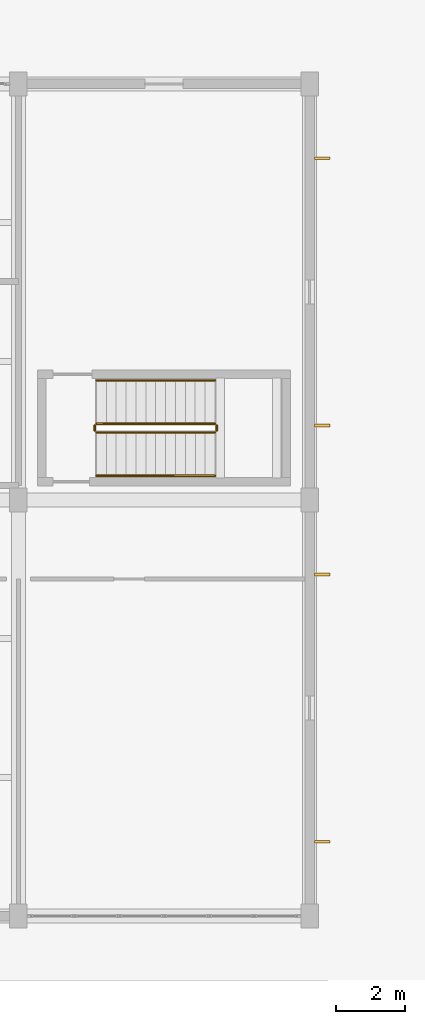
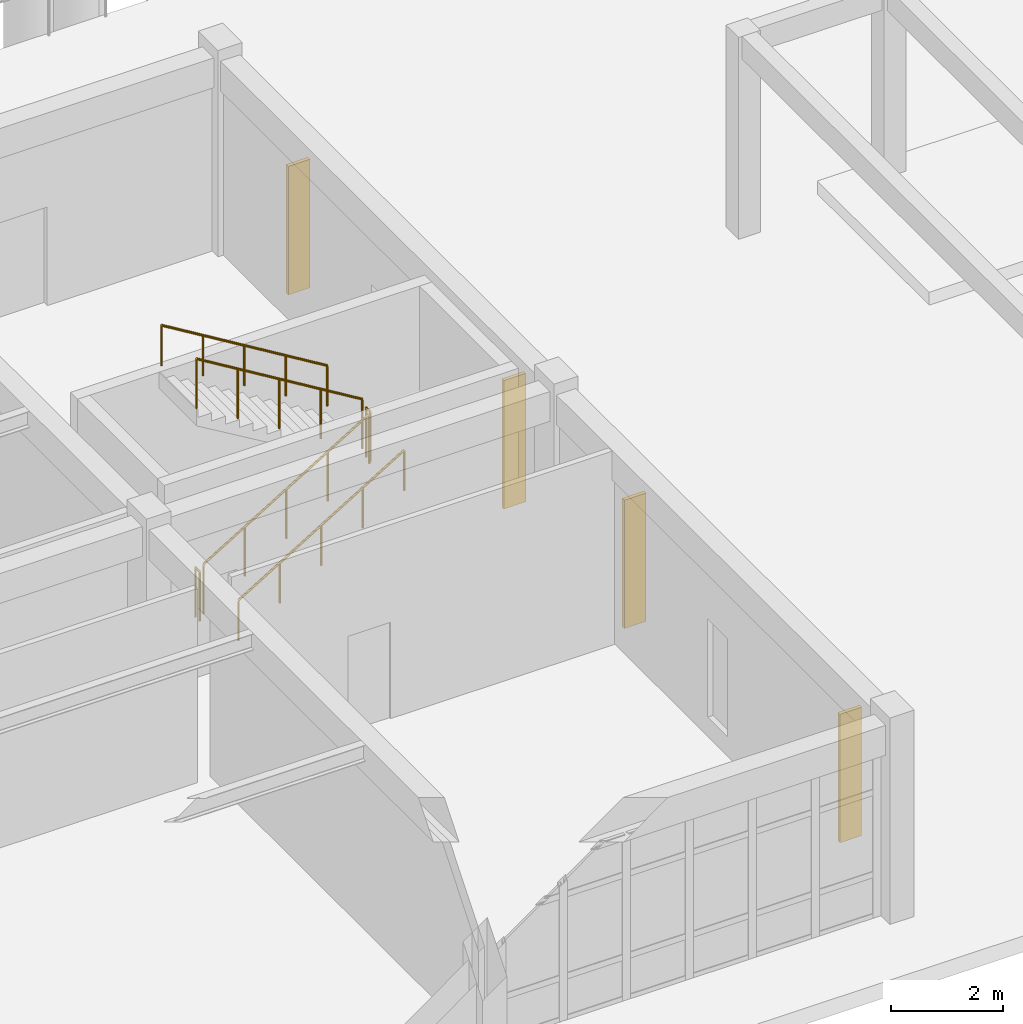
# One storey, part 142 of 154: 6 railings, 4 shading devices.
"""IFC4 building model written with IfcOpenShell, lengths in metres."""

from ifc_helpers import new_model, si_unit, direction, frame, origin, origin_2d, place, context, subcontext, project, spatial, rectangle, circle, extrude, material, layer, layer_set, type_object, element, save


model = new_model("IFC4")

# Units and contexts
model_context = context("Model", 3, precision=1e-05, world=origin(), true_north=direction((0.0, 1.0)))
body_context = subcontext(model_context, "Body", "Model", "MODEL_VIEW")
ifc_project = project(units=[si_unit("LENGTHUNIT", "METRE"), si_unit("AREAUNIT", "SQUARE_METRE"), si_unit("VOLUMEUNIT", "CUBIC_METRE"), si_unit("PLANEANGLEUNIT", "RADIAN"), si_unit("MASSUNIT", "GRAM", prefix="KILO")], contexts=[model_context])

# Site, building, storey
site_placement = place(None, origin())
site = spatial("IfcSite", under=ifc_project, at=site_placement, CompositionType="ELEMENT")
building_placement = place(site_placement, origin())
building = spatial("IfcBuilding", under=site, at=building_placement, Name="Kestramere Prow Commons", CompositionType="ELEMENT")
storey_placement = place(building_placement, origin())
storey = spatial("IfcBuildingStorey", under=building, at=storey_placement, Name="L00", CompositionType="ELEMENT", Elevation=0.0)

# Railings
ifc_material_1 = material(Name="Galvanised Steel S275JR", Category="steel")
railing_type_1 = type_object("IfcRailingType", Name="RL-ST-GR-1100", PredefinedType="GUARDRAIL", material=ifc_material_1)
railing_1_placement = place(storey_placement, frame((105.85009765625, 13.949951171875, 0.173095703125)))
element("IfcRailing", 1, at=railing_1_placement, inside=storey, type_object=railing_type_1, Name="L00 ST-M2 stair guard 1", PredefinedType="GUARDRAIL", context=body_context, shape_type="SweptSolid", body=[
    extrude(circle(Radius=0.02392578125, at=origin_2d()), frame((0.0, 0.0, 1.076171875), z_axis=(0.854729506542, 0.0, 0.519073665916), x_axis=(0.0, 1.0, 0.0)), (0.0, 0.0, 1.0), 4.001220703125),
    extrude(circle(Radius=0.02099609375, at=origin_2d()), origin(), (0.0, 0.0, 1.0), 1.052001953125),
    extrude(circle(Radius=0.02099609375, at=origin_2d()), frame((0.85498046875, 0.0, 0.519287109375)), (0.0, 0.0, 1.0), 1.052001953125),
    extrude(circle(Radius=0.02099609375, at=origin_2d()), frame((1.7099609375, 0.0, 1.03857421875)), (0.0, 0.0, 1.0), 1.052001953125),
    extrude(circle(Radius=0.02099609375, at=origin_2d()), frame((2.56494140625, 0.0, 1.5576171875)), (0.0, 0.0, 1.0), 1.052001953125),
    extrude(circle(Radius=0.02099609375, at=origin_2d()), frame((3.419921875, 0.0, 2.076904296875)), (0.0, 0.0, 1.0), 1.052001953125),
])
railing_2_placement = place(storey_placement, frame((109.320068359375, 14.0, 2.25)))
element("IfcRailing", 2, at=railing_2_placement, inside=storey, type_object=railing_type_1, Name="L00 ST-M2 stair guard 2", PredefinedType="GUARDRAIL", context=body_context, shape_type="SweptSolid", body=[
    extrude(circle(Radius=0.02392578125, at=origin_2d()), frame((0.0, 0.0, 1.076171875), z_axis=(0.0, 1.0, 0.0), x_axis=(-1.0, 0.0, 0.0)), (0.0, 0.0, 1.0), 0.14990234375),
    extrude(circle(Radius=0.02099609375, at=origin_2d()), origin(), (0.0, 0.0, 1.0), 1.052001953125),
    extrude(circle(Radius=0.02099609375, at=origin_2d()), frame((0.0, 0.14990234375, 0.0)), (0.0, 0.0, 1.0), 1.052001953125),
])
railing_3_placement = place(storey_placement, frame((109.27001953125, 14.199951171875, 2.423095703125)))
element("IfcRailing", 3, at=railing_3_placement, inside=storey, type_object=railing_type_1, Name="L00 ST-M2 stair guard 3", PredefinedType="GUARDRAIL", context=body_context, shape_type="SweptSolid", body=[
    extrude(circle(Radius=0.02392578125, at=origin_2d()), frame((0.0, 0.0, 1.076171875), z_axis=(-0.854729506542, 0.0, 0.519073665916), x_axis=(0.0, -1.0, 0.0)), (0.0, 0.0, 1.0), 4.001220703125),
    extrude(circle(Radius=0.02099609375, at=origin_2d()), origin(), (0.0, 0.0, 1.0), 1.052001953125),
    extrude(circle(Radius=0.02099609375, at=origin_2d()), frame((-0.85498046875, 0.0, 0.519287109375)), (0.0, 0.0, 1.0), 1.052001953125),
    extrude(circle(Radius=0.02099609375, at=origin_2d()), frame((-1.7099609375, 0.0, 1.03857421875)), (0.0, 0.0, 1.0), 1.052001953125),
    extrude(circle(Radius=0.02099609375, at=origin_2d()), frame((-2.56494140625, 0.0, 1.5576171875)), (0.0, 0.0, 1.0), 1.052001953125),
    extrude(circle(Radius=0.02099609375, at=origin_2d()), frame((-3.419921875, 0.0, 2.076904296875)), (0.0, 0.0, 1.0), 1.052001953125),
])
railing_4_placement = place(storey_placement, frame((105.800048828125, 14.0, 0.0)))
element("IfcRailing", 4, at=railing_4_placement, inside=storey, type_object=railing_type_1, Name="L00 ST-M2 stair guard 4", PredefinedType="GUARDRAIL", context=body_context, shape_type="SweptSolid", body=[
    extrude(circle(Radius=0.02392578125, at=origin_2d()), frame((0.0, 0.0, 1.076171875), z_axis=(0.0, 1.0, 0.0), x_axis=(-1.0, 0.0, 0.0)), (0.0, 0.0, 1.0), 0.14990234375),
    extrude(circle(Radius=0.02099609375, at=origin_2d()), origin(), (0.0, 0.0, 1.0), 1.052001953125),
    extrude(circle(Radius=0.02099609375, at=origin_2d()), frame((0.0, 0.14990234375, 0.0)), (0.0, 0.0, 1.0), 1.052001953125),
])
ifc_material_2 = material(Name="Stainless Steel 304", Category="steel")
railing_type_2 = type_object("IfcRailingType", Name="RL-ST-HR-900", PredefinedType="HANDRAIL", material=ifc_material_2)
railing_5_placement = place(storey_placement, frame((105.85009765625, 12.699951171875, 0.34619140625)))
element("IfcRailing", 5, at=railing_5_placement, inside=storey, type_object=railing_type_2, Name="L00 ST-M2 stair handrail 1", PredefinedType="HANDRAIL", context=body_context, shape_type="SweptSolid", body=[
    extrude(circle(Radius=0.02392578125, at=origin_2d()), frame((0.0, 0.0, 0.8759765625), z_axis=(0.854729506542, 0.0, 0.519073665916), x_axis=(0.0, 1.0, 0.0)), (0.0, 0.0, 1.0), 4.001220703125),
    extrude(circle(Radius=0.02099609375, at=origin_2d()), origin(), (0.0, 0.0, 1.0), 0.851806640625),
    extrude(circle(Radius=0.02099609375, at=origin_2d()), frame((0.85498046875, 0.0, 0.519287109375)), (0.0, 0.0, 1.0), 0.851806640625),
    extrude(circle(Radius=0.02099609375, at=origin_2d()), frame((1.7099609375, 0.0, 1.03857421875)), (0.0, 0.0, 1.0), 0.851806640625),
    extrude(circle(Radius=0.02099609375, at=origin_2d()), frame((2.56494140625, 0.0, 1.5576171875)), (0.0, 0.0, 1.0), 0.851806640625),
    extrude(circle(Radius=0.02099609375, at=origin_2d()), frame((3.419921875, 0.0, 2.076904296875)), (0.0, 0.0, 1.0), 0.851806640625),
])
railing_6_placement = place(storey_placement, frame((109.27001953125, 15.449951171875, 2.59619140625)))
element("IfcRailing", 6, at=railing_6_placement, inside=storey, type_object=railing_type_2, Name="L00 ST-M2 stair handrail 2", PredefinedType="HANDRAIL", context=body_context, shape_type="SweptSolid", body=[
    extrude(circle(Radius=0.02392578125, at=origin_2d()), frame((0.0, 0.0, 0.8759765625), z_axis=(-0.854729506542, 0.0, 0.519073665916), x_axis=(0.0, -1.0, 0.0)), (0.0, 0.0, 1.0), 4.001220703125),
    extrude(circle(Radius=0.02099609375, at=origin_2d()), origin(), (0.0, 0.0, 1.0), 0.851806640625),
    extrude(circle(Radius=0.02099609375, at=origin_2d()), frame((-0.85498046875, 0.0, 0.519287109375)), (0.0, 0.0, 1.0), 0.851806640625),
    extrude(circle(Radius=0.02099609375, at=origin_2d()), frame((-1.7099609375, 0.0, 1.03857421875)), (0.0, 0.0, 1.0), 0.851806640625),
    extrude(circle(Radius=0.02099609375, at=origin_2d()), frame((-2.56494140625, 0.0, 1.5576171875)), (0.0, 0.0, 1.0), 0.851806640625),
    extrude(circle(Radius=0.02099609375, at=origin_2d()), frame((-3.419921875, 0.0, 2.076904296875)), (0.0, 0.0, 1.0), 0.851806640625),
])

# Shading devices
ifc_material_3 = material(Name="Weathered Bronze-Anodised Aluminium", Category="aluminium")
ifc_layer = layer(ifc_material_3, 0.074951171875)
ifc_layer_set = layer_set([ifc_layer], Name="Weathered Bronze-Anodised Aluminium")
shading_device_type = type_object("IfcShadingDeviceType", Name="SHD-VFIN-450", PredefinedType="USERDEFINED", material=ifc_layer_set)
for number, where, z_axis, x_axis, name in (
    (7, (112.364990234375, 2.14990234375, 0.14990234375), (0.0, 0.0, 1.0), (1.0, 0.0, 0.0), "Market L00 E Vertical Fin 1-1"),
    (8, (112.364990234375, 9.85009765625, 0.14990234375), (0.0, 0.0, 1.0), (1.0, 0.0, 0.0), "Market L00 E Vertical Fin 1-2"),
    (9, (112.364990234375, 14.14990234375, 0.14990234375), (0.0, 0.0, 1.0), (1.0, 0.0, 0.0), "Market L00 E Vertical Fin 2-1"),
    (10, (112.364990234375, 21.85009765625, 0.14990234375), (0.0, 0.0, 1.0), (1.0, 0.0, 0.0), "Market L00 E Vertical Fin 2-2"),
):
    element("IfcShadingDevice", number, at=place(storey_placement, frame(where, z_axis=z_axis, x_axis=x_axis)), inside=storey, type_object=shading_device_type, Name=name, ObjectType="VERTICAL FIN", PredefinedType="USERDEFINED", context=body_context, shape_type="SweptSolid", body=[
        extrude(rectangle(XDim=0.449951171875, YDim=0.074951171875, at=origin_2d()), origin(), (0.0, 0.0, 1.0), 2.800048828125),
    ])

save(model, "model.ifc")
